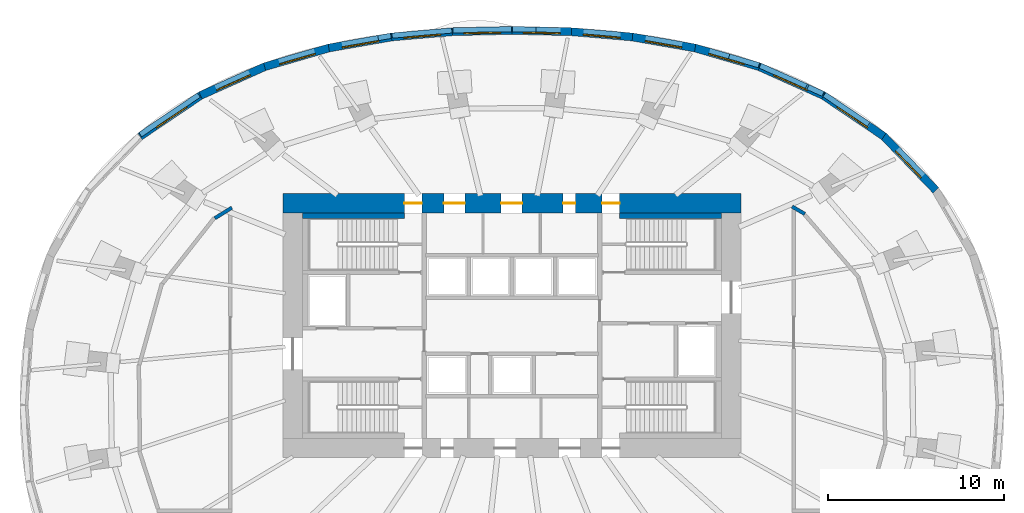
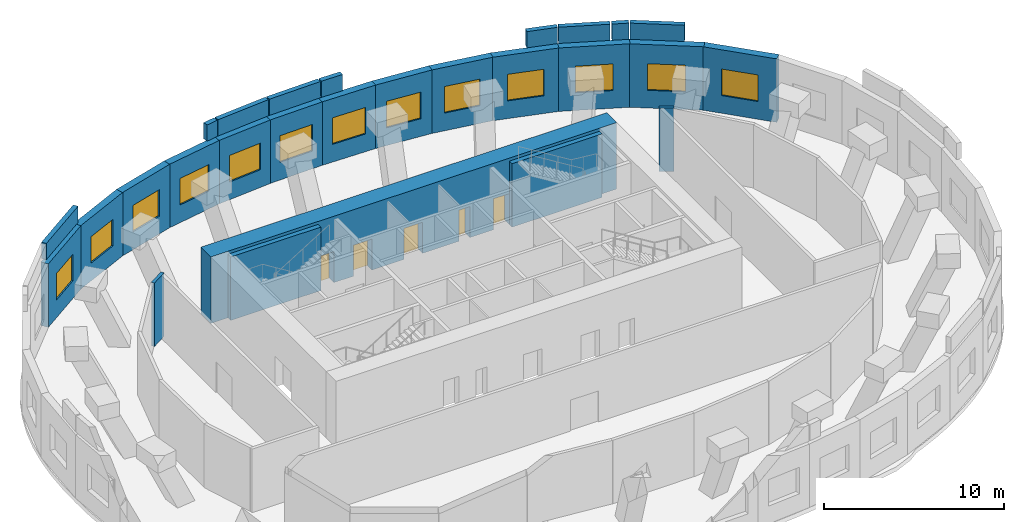
# One storey, part 7 of 9: 27 walls, 13 windows, 5 doors, 18 openings.
"""IFC4 building model written with IfcOpenShell, lengths in metres."""

from ifc_helpers import new_model, si_unit, direction, frame, frame_2d, origin, place, context, subcontext, project, spatial, rectangle, extrude, material, layer, layer_set, type_object, element, fill, save


model = new_model("IFC4")

# Units and contexts
model_context = context("Model", 3, precision=1e-05, world=origin(), true_north=direction((0.0, 1.0)))
body_context = subcontext(model_context, "Body", "Model", "MODEL_VIEW")
ifc_project = project(units=[si_unit("LENGTHUNIT", "METRE"), si_unit("AREAUNIT", "SQUARE_METRE"), si_unit("VOLUMEUNIT", "CUBIC_METRE"), si_unit("PLANEANGLEUNIT", "RADIAN"), si_unit("MASSUNIT", "GRAM", prefix="KILO")], contexts=[model_context])

# Site, building, storey
site_placement = place(None, origin())
site = spatial("IfcSite", under=ifc_project, at=site_placement, CompositionType="ELEMENT")
building_placement = place(site_placement, origin())
building = spatial("IfcBuilding", under=site, at=building_placement, Name="Rubra Terraces Tower", CompositionType="ELEMENT")
storey_placement = place(building_placement, frame((0.0, 0.0, 169.5)))
storey = spatial("IfcBuildingStorey", under=building, at=storey_placement, Name="L41", CompositionType="ELEMENT", Elevation=169.5)

# Wall, opening, window
ifc_material_1 = material(Name="Brick masonry red-brown", Category="masonry")
ifc_layer_1 = layer(ifc_material_1, 0.449951171875)
ifc_layer_set_1 = layer_set([ifc_layer_1], Name="Brick masonry red-brown")
wall_type_1 = type_object("IfcWallType", Name="Brick facade wall 450", PredefinedType="SOLIDWALL", material=ifc_layer_set_1)
wall_1_placement = place(storey_placement, frame((24.076904296875, 12.19384765625, 0.0), z_axis=(0.0, 0.0, 1.0), x_axis=(-0.69406513137, 0.719912212298, 0.0)))
wall_1 = element("IfcWall", 1, at=wall_1_placement, inside=storey, type_object=wall_type_1, Name="Facade wall L41 bay 4", PredefinedType="SOLIDWALL", context=body_context, shape_type="SweptSolid", body=[
    extrude(rectangle(XDim=4.2978515625, YDim=0.449951171875, at=frame_2d((2.14892578125, 0.0))), origin(), (0.0, 0.0, 1.0), 4.300048828125),
])
opening_1_placement = place(wall_1_placement, frame((1.098876953125, 0.0, 1.199951171875)))
opening_1 = element("IfcOpeningElement", 2, at=opening_1_placement, cuts=wall_1, Name="Opening W4", PredefinedType="OPENING", context=body_context, shape_type="SweptSolid", body=[
    extrude(rectangle(XDim=2.10009765625, YDim=1.800048828125, at=frame_2d((1.050048828125, 0.89990234375))), frame((0.0, 0.23486328125, 0.0), z_axis=(0.0, -1.0, 0.0), x_axis=(1.0, 0.0, 0.0)), (0.0, 0.0, 1.0), 0.469970703125),
])
ifc_material_2 = material(Name="Clear glass in aluminium frame", Category="aluminium")
window_type = type_object("IfcWindowType", Name="Louvred plant window 2100 x 1800", PartitioningType="SINGLE_PANEL", PredefinedType="WINDOW", material=ifc_material_2)
window_1_placement = place(opening_1_placement, origin())
window_1 = element("IfcWindow", 3, at=window_1_placement, inside=storey, type_object=window_type, Name="Window L41 bay 4", OverallHeight=1.800048828125, OverallWidth=2.10009765625, PartitioningType="SINGLE_PANEL", PredefinedType="WINDOW", context=body_context, shape_type="SweptSolid", body=[
    extrude(rectangle(XDim=2.10009765625, YDim=1.800048828125, at=frame_2d((1.050048828125, 0.89990234375))), frame((0.0, 0.135009765625, 0.0), z_axis=(0.0, -1.0, 0.0), x_axis=(1.0, 0.0, 0.0)), (0.0, 0.0, 1.0), 0.06005859375),
])
fill(opening_1, window_1)

wall_2_placement = place(storey_placement, frame((21.130126953125, 15.257568359375, 0.0), z_axis=(0.0, 0.0, 1.0), x_axis=(-0.829077786947, 0.559133278557, 0.0)))
wall_2 = element("IfcWall", 4, at=wall_2_placement, inside=storey, type_object=wall_type_1, Name="Facade wall L41 bay 5", PredefinedType="SOLIDWALL", context=body_context, shape_type="SweptSolid", body=[
    extrude(rectangle(XDim=4.1865234375, YDim=0.449951171875, at=frame_2d((2.09326171875, 0.0))), origin(), (0.0, 0.0, 1.0), 4.300048828125),
])
opening_2_placement = place(wall_2_placement, frame((1.043212890625, 0.0, 1.199951171875)))
opening_2 = element("IfcOpeningElement", 5, at=opening_2_placement, cuts=wall_2, Name="Opening W4", PredefinedType="OPENING", context=body_context, shape_type="SweptSolid", body=[
    extrude(rectangle(XDim=2.10009765625, YDim=1.800048828125, at=frame_2d((1.050048828125, 0.89990234375))), frame((0.0, 0.23486328125, 0.0), z_axis=(0.0, -1.0, 0.0), x_axis=(1.0, 0.0, 0.0)), (0.0, 0.0, 1.0), 0.469970703125),
])
window_2_placement = place(opening_2_placement, origin())
window_2 = element("IfcWindow", 6, at=window_2_placement, inside=storey, type_object=window_type, Name="Window L41 bay 5", OverallHeight=1.800048828125, OverallWidth=2.10009765625, PartitioningType="SINGLE_PANEL", PredefinedType="WINDOW", context=body_context, shape_type="SweptSolid", body=[
    extrude(rectangle(XDim=2.10009765625, YDim=1.800048828125, at=frame_2d((1.050048828125, 0.89990234375))), frame((0.0, 0.135009765625, 0.0), z_axis=(0.0, -1.0, 0.0), x_axis=(1.0, 0.0, 0.0)), (0.0, 0.0, 1.0), 0.06005859375),
])
fill(opening_2, window_2)

wall_3_placement = place(storey_placement, frame((17.693115234375, 17.57958984375, 0.0), z_axis=(0.0, 0.0, 1.0), x_axis=(-0.912580432801, 0.408897240966, 0.0)))
wall_3 = element("IfcWall", 7, at=wall_3_placement, inside=storey, type_object=wall_type_1, Name="Facade wall L41 bay 6", PredefinedType="SOLIDWALL", context=body_context, shape_type="SweptSolid", body=[
    extrude(rectangle(XDim=4.020751953125, YDim=0.449951171875, at=frame_2d((2.01025390625, 0.0))), origin(), (0.0, 0.0, 1.0), 4.300048828125),
])
opening_3_placement = place(wall_3_placement, frame((0.960205078125, 0.0, 1.199951171875)))
opening_3 = element("IfcOpeningElement", 8, at=opening_3_placement, cuts=wall_3, Name="Opening W4", PredefinedType="OPENING", context=body_context, shape_type="SweptSolid", body=[
    extrude(rectangle(XDim=2.10009765625, YDim=1.800048828125, at=frame_2d((1.050048828125, 0.89990234375))), frame((0.0, 0.23486328125, 0.0), z_axis=(0.0, -1.0, 0.0), x_axis=(1.0, 0.0, 0.0)), (0.0, 0.0, 1.0), 0.469970703125),
])
window_3_placement = place(opening_3_placement, origin())
window_3 = element("IfcWindow", 9, at=window_3_placement, inside=storey, type_object=window_type, Name="Window L41 bay 6", OverallHeight=1.800048828125, OverallWidth=2.10009765625, PartitioningType="SINGLE_PANEL", PredefinedType="WINDOW", context=body_context, shape_type="SweptSolid", body=[
    extrude(rectangle(XDim=2.10009765625, YDim=1.800048828125, at=frame_2d((1.050048828125, 0.89990234375))), frame((0.0, 0.135009765625, 0.0), z_axis=(0.0, -1.0, 0.0), x_axis=(1.0, 0.0, 0.0)), (0.0, 0.0, 1.0), 0.06005859375),
])
fill(opening_3, window_3)

wall_4_placement = place(storey_placement, frame((14.052978515625, 19.212890625, 0.0), z_axis=(0.0, 0.0, 1.0), x_axis=(-0.960131452472, 0.279548911594, 0.0)))
wall_4 = element("IfcWall", 10, at=wall_4_placement, inside=storey, type_object=wall_type_1, Name="Facade wall L41 bay 7", PredefinedType="SOLIDWALL", context=body_context, shape_type="SweptSolid", body=[
    extrude(rectangle(XDim=3.824462890625, YDim=0.449951171875, at=frame_2d((1.912109375, 0.0))), origin(), (0.0, 0.0, 1.0), 4.300048828125),
])
opening_4_placement = place(wall_4_placement, frame((0.8623046875, 0.0, 1.199951171875)))
opening_4 = element("IfcOpeningElement", 11, at=opening_4_placement, cuts=wall_4, Name="Opening W4", PredefinedType="OPENING", context=body_context, shape_type="SweptSolid", body=[
    extrude(rectangle(XDim=2.10009765625, YDim=1.800048828125, at=frame_2d((1.050048828125, 0.89990234375))), frame((0.0, 0.23486328125, 0.0), z_axis=(0.0, -1.0, 0.0), x_axis=(1.0, 0.0, 0.0)), (0.0, 0.0, 1.0), 0.469970703125),
])
window_4_placement = place(opening_4_placement, origin())
window_4 = element("IfcWindow", 12, at=window_4_placement, inside=storey, type_object=window_type, Name="Window L41 bay 7", OverallHeight=1.800048828125, OverallWidth=2.10009765625, PartitioningType="SINGLE_PANEL", PredefinedType="WINDOW", context=body_context, shape_type="SweptSolid", body=[
    extrude(rectangle(XDim=2.10009765625, YDim=1.800048828125, at=frame_2d((1.050048828125, 0.89990234375))), frame((0.0, 0.135009765625, 0.0), z_axis=(0.0, -1.0, 0.0), x_axis=(1.0, 0.0, 0.0)), (0.0, 0.0, 1.0), 0.06005859375),
])
fill(opening_4, window_4)

wall_5_placement = place(storey_placement, frame((10.405029296875, 20.2763671875, 0.0), z_axis=(0.0, 0.0, 1.0), x_axis=(-0.984962239205, 0.172769752386, 0.0)))
wall_5 = element("IfcWall", 13, at=wall_5_placement, inside=storey, type_object=wall_type_1, Name="Facade wall L41 bay 8", PredefinedType="SOLIDWALL", context=body_context, shape_type="SweptSolid", body=[
    extrude(rectangle(XDim=3.634521484375, YDim=0.449951171875, at=frame_2d((1.8173828125, 0.0))), origin(), (0.0, 0.0, 1.0), 4.300048828125),
])
opening_5_placement = place(wall_5_placement, frame((0.767333984375, 0.0, 1.199951171875)))
opening_5 = element("IfcOpeningElement", 14, at=opening_5_placement, cuts=wall_5, Name="Opening W4", PredefinedType="OPENING", context=body_context, shape_type="SweptSolid", body=[
    extrude(rectangle(XDim=2.10009765625, YDim=1.800048828125, at=frame_2d((1.050048828125, 0.89990234375))), frame((0.0, 0.23486328125, 0.0), z_axis=(0.0, -1.0, 0.0), x_axis=(1.0, 0.0, 0.0)), (0.0, 0.0, 1.0), 0.469970703125),
])
window_5_placement = place(opening_5_placement, origin())
window_5 = element("IfcWindow", 15, at=window_5_placement, inside=storey, type_object=window_type, Name="Window L41 bay 8", OverallHeight=1.800048828125, OverallWidth=2.10009765625, PartitioningType="SINGLE_PANEL", PredefinedType="WINDOW", context=body_context, shape_type="SweptSolid", body=[
    extrude(rectangle(XDim=2.10009765625, YDim=1.800048828125, at=frame_2d((1.050048828125, 0.89990234375))), frame((0.0, 0.135009765625, 0.0), z_axis=(0.0, -1.0, 0.0), x_axis=(1.0, 0.0, 0.0)), (0.0, 0.0, 1.0), 0.06005859375),
])
fill(opening_5, window_5)

wall_6_placement = place(storey_placement, frame((6.844482421875, 20.90185546875, 0.0), z_axis=(0.0, 0.0, 1.0), x_axis=(-0.99625818993, 0.086426957587, 0.0)))
wall_6 = element("IfcWall", 16, at=wall_6_placement, inside=storey, type_object=wall_type_1, Name="Facade wall L41 bay 9", PredefinedType="SOLIDWALL", context=body_context, shape_type="SweptSolid", body=[
    extrude(rectangle(XDim=3.48291015625, YDim=0.449951171875, at=frame_2d((1.741455078125, 0.0))), origin(), (0.0, 0.0, 1.0), 4.300048828125),
])
opening_6_placement = place(wall_6_placement, frame((0.69140625, 0.0, 1.199951171875)))
opening_6 = element("IfcOpeningElement", 17, at=opening_6_placement, cuts=wall_6, Name="Opening W4", PredefinedType="OPENING", context=body_context, shape_type="SweptSolid", body=[
    extrude(rectangle(XDim=2.10009765625, YDim=1.800048828125, at=frame_2d((1.050048828125, 0.89990234375))), frame((0.0, 0.23486328125, 0.0), z_axis=(0.0, -1.0, 0.0), x_axis=(1.0, 0.0, 0.0)), (0.0, 0.0, 1.0), 0.469970703125),
])
window_6_placement = place(opening_6_placement, origin())
window_6 = element("IfcWindow", 18, at=window_6_placement, inside=storey, type_object=window_type, Name="Window L41 bay 9", OverallHeight=1.800048828125, OverallWidth=2.10009765625, PartitioningType="SINGLE_PANEL", PredefinedType="WINDOW", context=body_context, shape_type="SweptSolid", body=[
    extrude(rectangle(XDim=2.10009765625, YDim=1.800048828125, at=frame_2d((1.050048828125, 0.89990234375))), frame((0.0, 0.135009765625, 0.0), z_axis=(0.0, -1.0, 0.0), x_axis=(1.0, 0.0, 0.0)), (0.0, 0.0, 1.0), 0.06005859375),
])
fill(opening_6, window_6)

wall_7_placement = place(storey_placement, frame((3.38916015625, 21.201904296875, 0.0), z_axis=(0.0, 0.0, 1.0), x_axis=(-0.999768789703, 0.021502723933, 0.0)))
wall_7 = element("IfcWall", 19, at=wall_7_placement, inside=storey, type_object=wall_type_1, Name="Facade wall L41 bay 10", PredefinedType="SOLIDWALL", context=body_context, shape_type="SweptSolid", body=[
    extrude(rectangle(XDim=3.394775390625, YDim=0.449951171875, at=frame_2d((1.697265625, 0.0))), origin(), (0.0, 0.0, 1.0), 4.300048828125),
])
opening_7_placement = place(wall_7_placement, frame((0.6474609375, 0.0, 1.199951171875)))
opening_7 = element("IfcOpeningElement", 20, at=opening_7_placement, cuts=wall_7, Name="Opening W4", PredefinedType="OPENING", context=body_context, shape_type="SweptSolid", body=[
    extrude(rectangle(XDim=2.10009765625, YDim=1.800048828125, at=frame_2d((1.050048828125, 0.89990234375))), frame((0.0, 0.23486328125, 0.0), z_axis=(0.0, -1.0, 0.0), x_axis=(1.0, 0.0, 0.0)), (0.0, 0.0, 1.0), 0.469970703125),
])
window_7_placement = place(opening_7_placement, origin())
window_7 = element("IfcWindow", 21, at=window_7_placement, inside=storey, type_object=window_type, Name="Window L41 bay 10", OverallHeight=1.800048828125, OverallWidth=2.10009765625, PartitioningType="SINGLE_PANEL", PredefinedType="WINDOW", context=body_context, shape_type="SweptSolid", body=[
    extrude(rectangle(XDim=2.10009765625, YDim=1.800048828125, at=frame_2d((1.050048828125, 0.89990234375))), frame((0.0, 0.135009765625, 0.0), z_axis=(0.0, -1.0, 0.0), x_axis=(1.0, 0.0, 0.0)), (0.0, 0.0, 1.0), 0.06005859375),
])
fill(opening_7, window_7)

wall_8_placement = place(storey_placement, frame((0.0048828125, 21.27490234375, 0.0), z_axis=(0.0, 0.0, 1.0), x_axis=(-0.999768789703, -0.021502723933, 0.0)))
wall_8 = element("IfcWall", 22, at=wall_8_placement, inside=storey, type_object=wall_type_1, Name="Facade wall L41 bay 11", PredefinedType="SOLIDWALL", context=body_context, shape_type="SweptSolid", body=[
    extrude(rectangle(XDim=3.394775390625, YDim=0.449951171875, at=frame_2d((1.697265625, 0.0))), origin(), (0.0, 0.0, 1.0), 4.300048828125),
])
opening_8_placement = place(wall_8_placement, frame((0.6474609375, 0.0, 1.199951171875)))
opening_8 = element("IfcOpeningElement", 23, at=opening_8_placement, cuts=wall_8, Name="Opening W4", PredefinedType="OPENING", context=body_context, shape_type="SweptSolid", body=[
    extrude(rectangle(XDim=2.10009765625, YDim=1.800048828125, at=frame_2d((1.050048828125, 0.89990234375))), frame((0.0, 0.23486328125, 0.0), z_axis=(0.0, -1.0, 0.0), x_axis=(1.0, 0.0, 0.0)), (0.0, 0.0, 1.0), 0.469970703125),
])
window_8_placement = place(opening_8_placement, origin())
window_8 = element("IfcWindow", 24, at=window_8_placement, inside=storey, type_object=window_type, Name="Window L41 bay 11", OverallHeight=1.800048828125, OverallWidth=2.10009765625, PartitioningType="SINGLE_PANEL", PredefinedType="WINDOW", context=body_context, shape_type="SweptSolid", body=[
    extrude(rectangle(XDim=2.10009765625, YDim=1.800048828125, at=frame_2d((1.050048828125, 0.89990234375))), frame((0.0, 0.135009765625, 0.0), z_axis=(0.0, -1.0, 0.0), x_axis=(1.0, 0.0, 0.0)), (0.0, 0.0, 1.0), 0.06005859375),
])
fill(opening_8, window_8)

wall_9_placement = place(storey_placement, frame((-3.37451171875, 21.202880859375, 0.0), z_axis=(0.0, 0.0, 1.0), x_axis=(-0.99625818993, -0.086426957587, 0.0)))
wall_9 = element("IfcWall", 25, at=wall_9_placement, inside=storey, type_object=wall_type_1, Name="Facade wall L41 bay 12", PredefinedType="SOLIDWALL", context=body_context, shape_type="SweptSolid", body=[
    extrude(rectangle(XDim=3.48291015625, YDim=0.449951171875, at=frame_2d((1.741455078125, 0.0))), origin(), (0.0, 0.0, 1.0), 4.300048828125),
])
opening_9_placement = place(wall_9_placement, frame((0.69140625, 0.0, 1.199951171875)))
opening_9 = element("IfcOpeningElement", 26, at=opening_9_placement, cuts=wall_9, Name="Opening W4", PredefinedType="OPENING", context=body_context, shape_type="SweptSolid", body=[
    extrude(rectangle(XDim=2.10009765625, YDim=1.800048828125, at=frame_2d((1.050048828125, 0.89990234375))), frame((0.0, 0.23486328125, 0.0), z_axis=(0.0, -1.0, 0.0), x_axis=(1.0, 0.0, 0.0)), (0.0, 0.0, 1.0), 0.469970703125),
])
window_9_placement = place(opening_9_placement, origin())
window_9 = element("IfcWindow", 27, at=window_9_placement, inside=storey, type_object=window_type, Name="Window L41 bay 12", OverallHeight=1.800048828125, OverallWidth=2.10009765625, PartitioningType="SINGLE_PANEL", PredefinedType="WINDOW", context=body_context, shape_type="SweptSolid", body=[
    extrude(rectangle(XDim=2.10009765625, YDim=1.800048828125, at=frame_2d((1.050048828125, 0.89990234375))), frame((0.0, 0.135009765625, 0.0), z_axis=(0.0, -1.0, 0.0), x_axis=(1.0, 0.0, 0.0)), (0.0, 0.0, 1.0), 0.06005859375),
])
fill(opening_9, window_9)

wall_10_placement = place(storey_placement, frame((-6.8251953125, 20.904296875, 0.0), z_axis=(0.0, 0.0, 1.0), x_axis=(-0.984962239205, -0.172769752386, 0.0)))
wall_10 = element("IfcWall", 28, at=wall_10_placement, inside=storey, type_object=wall_type_1, Name="Facade wall L41 bay 13", PredefinedType="SOLIDWALL", context=body_context, shape_type="SweptSolid", body=[
    extrude(rectangle(XDim=3.634521484375, YDim=0.449951171875, at=frame_2d((1.8173828125, 0.0))), origin(), (0.0, 0.0, 1.0), 4.300048828125),
])
opening_10_placement = place(wall_10_placement, frame((0.767333984375, 0.0, 1.199951171875)))
opening_10 = element("IfcOpeningElement", 29, at=opening_10_placement, cuts=wall_10, Name="Opening W4", PredefinedType="OPENING", context=body_context, shape_type="SweptSolid", body=[
    extrude(rectangle(XDim=2.10009765625, YDim=1.800048828125, at=frame_2d((1.050048828125, 0.89990234375))), frame((0.0, 0.23486328125, 0.0), z_axis=(0.0, -1.0, 0.0), x_axis=(1.0, 0.0, 0.0)), (0.0, 0.0, 1.0), 0.469970703125),
])
window_10_placement = place(opening_10_placement, origin())
window_10 = element("IfcWindow", 30, at=window_10_placement, inside=storey, type_object=window_type, Name="Window L41 bay 13", OverallHeight=1.800048828125, OverallWidth=2.10009765625, PartitioningType="SINGLE_PANEL", PredefinedType="WINDOW", context=body_context, shape_type="SweptSolid", body=[
    extrude(rectangle(XDim=2.10009765625, YDim=1.800048828125, at=frame_2d((1.050048828125, 0.89990234375))), frame((0.0, 0.135009765625, 0.0), z_axis=(0.0, -1.0, 0.0), x_axis=(1.0, 0.0, 0.0)), (0.0, 0.0, 1.0), 0.06005859375),
])
fill(opening_10, window_10)

wall_11_placement = place(storey_placement, frame((-10.381103515625, 20.281982421875, 0.0), z_axis=(0.0, 0.0, 1.0), x_axis=(-0.960131452472, -0.279548911594, 0.0)))
wall_11 = element("IfcWall", 31, at=wall_11_placement, inside=storey, type_object=wall_type_1, Name="Facade wall L41 bay 14", PredefinedType="SOLIDWALL", context=body_context, shape_type="SweptSolid", body=[
    extrude(rectangle(XDim=3.824462890625, YDim=0.449951171875, at=frame_2d((1.912109375, 0.0))), origin(), (0.0, 0.0, 1.0), 4.300048828125),
])
opening_11_placement = place(wall_11_placement, frame((0.8623046875, 0.0, 1.199951171875)))
opening_11 = element("IfcOpeningElement", 32, at=opening_11_placement, cuts=wall_11, Name="Opening W4", PredefinedType="OPENING", context=body_context, shape_type="SweptSolid", body=[
    extrude(rectangle(XDim=2.10009765625, YDim=1.800048828125, at=frame_2d((1.050048828125, 0.89990234375))), frame((0.0, 0.23486328125, 0.0), z_axis=(0.0, -1.0, 0.0), x_axis=(1.0, 0.0, 0.0)), (0.0, 0.0, 1.0), 0.469970703125),
])
window_11_placement = place(opening_11_placement, origin())
window_11 = element("IfcWindow", 33, at=window_11_placement, inside=storey, type_object=window_type, Name="Window L41 bay 14", OverallHeight=1.800048828125, OverallWidth=2.10009765625, PartitioningType="SINGLE_PANEL", PredefinedType="WINDOW", context=body_context, shape_type="SweptSolid", body=[
    extrude(rectangle(XDim=2.10009765625, YDim=1.800048828125, at=frame_2d((1.050048828125, 0.89990234375))), frame((0.0, 0.135009765625, 0.0), z_axis=(0.0, -1.0, 0.0), x_axis=(1.0, 0.0, 0.0)), (0.0, 0.0, 1.0), 0.06005859375),
])
fill(opening_11, window_11)

wall_12_placement = place(storey_placement, frame((-14.02392578125, 19.2236328125, 0.0), z_axis=(0.0, 0.0, 1.0), x_axis=(-0.912580432801, -0.408897240966, 0.0)))
wall_12 = element("IfcWall", 34, at=wall_12_placement, inside=storey, type_object=wall_type_1, Name="Facade wall L41 bay 15", PredefinedType="SOLIDWALL", context=body_context, shape_type="SweptSolid", body=[
    extrude(rectangle(XDim=4.020751953125, YDim=0.449951171875, at=frame_2d((2.01025390625, 0.0))), origin(), (0.0, 0.0, 1.0), 4.300048828125),
])
opening_12_placement = place(wall_12_placement, frame((0.960205078125, 0.0, 1.199951171875)))
opening_12 = element("IfcOpeningElement", 35, at=opening_12_placement, cuts=wall_12, Name="Opening W4", PredefinedType="OPENING", context=body_context, shape_type="SweptSolid", body=[
    extrude(rectangle(XDim=2.10009765625, YDim=1.800048828125, at=frame_2d((1.050048828125, 0.89990234375))), frame((0.0, 0.23486328125, 0.0), z_axis=(0.0, -1.0, 0.0), x_axis=(1.0, 0.0, 0.0)), (0.0, 0.0, 1.0), 0.469970703125),
])
window_12_placement = place(opening_12_placement, origin())
window_12 = element("IfcWindow", 36, at=window_12_placement, inside=storey, type_object=window_type, Name="Window L41 bay 15", OverallHeight=1.800048828125, OverallWidth=2.10009765625, PartitioningType="SINGLE_PANEL", PredefinedType="WINDOW", context=body_context, shape_type="SweptSolid", body=[
    extrude(rectangle(XDim=2.10009765625, YDim=1.800048828125, at=frame_2d((1.050048828125, 0.89990234375))), frame((0.0, 0.135009765625, 0.0), z_axis=(0.0, -1.0, 0.0), x_axis=(1.0, 0.0, 0.0)), (0.0, 0.0, 1.0), 0.06005859375),
])
fill(opening_12, window_12)

wall_13_placement = place(storey_placement, frame((-17.6591796875, 17.598388671875, 0.0), z_axis=(0.0, 0.0, 1.0), x_axis=(-0.829077786947, -0.559133278557, 0.0)))
wall_13 = element("IfcWall", 37, at=wall_13_placement, inside=storey, type_object=wall_type_1, Name="Facade wall L41 bay 16", PredefinedType="SOLIDWALL", context=body_context, shape_type="SweptSolid", body=[
    extrude(rectangle(XDim=4.1865234375, YDim=0.449951171875, at=frame_2d((2.09326171875, 0.0))), origin(), (0.0, 0.0, 1.0), 4.300048828125),
])
opening_13_placement = place(wall_13_placement, frame((1.043212890625, 0.0, 1.199951171875)))
opening_13 = element("IfcOpeningElement", 38, at=opening_13_placement, cuts=wall_13, Name="Opening W4", PredefinedType="OPENING", context=body_context, shape_type="SweptSolid", body=[
    extrude(rectangle(XDim=2.10009765625, YDim=1.800048828125, at=frame_2d((1.050048828125, 0.89990234375))), frame((0.0, 0.23486328125, 0.0), z_axis=(0.0, -1.0, 0.0), x_axis=(1.0, 0.0, 0.0)), (0.0, 0.0, 1.0), 0.469970703125),
])
window_13_placement = place(opening_13_placement, origin())
window_13 = element("IfcWindow", 39, at=window_13_placement, inside=storey, type_object=window_type, Name="Window L41 bay 16", OverallHeight=1.800048828125, OverallWidth=2.10009765625, PartitioningType="SINGLE_PANEL", PredefinedType="WINDOW", context=body_context, shape_type="SweptSolid", body=[
    extrude(rectangle(XDim=2.10009765625, YDim=1.800048828125, at=frame_2d((1.050048828125, 0.89990234375))), frame((0.0, 0.135009765625, 0.0), z_axis=(0.0, -1.0, 0.0), x_axis=(1.0, 0.0, 0.0)), (0.0, 0.0, 1.0), 0.06005859375),
])
fill(opening_13, window_13)

# Walls
ifc_layer_2 = layer(ifc_material_1, 0.300048828125)
ifc_layer_set_2 = layer_set([ifc_layer_2], Name="Brick masonry red-brown")
wall_type_2 = type_object("IfcWallType", Name="Brick parapet 300", PredefinedType="PARAPET", material=ifc_layer_set_2)
wall_14_placement = place(storey_placement, frame((20.26416015625, 15.931884765625, 4.5), z_axis=(0.0, 0.0, 1.0), x_axis=(-0.82905652271, 0.559164807683, 0.0)))
element("IfcWall", 40, at=wall_14_placement, inside=storey, type_object=wall_type_2, Name="Parapet L41 bay 5", PredefinedType="PARAPET", context=body_context, shape_type="SweptSolid", body=[
    extrude(rectangle(XDim=3.035888671875, YDim=0.300048828125, at=frame_2d((1.51806640625, 0.0))), origin(), (0.0, 0.0, 1.0), 1.10009765625),
])
wall_15_placement = place(storey_placement, frame((17.672607421875, 17.6708984375, 4.5), z_axis=(0.0, 0.0, 1.0), x_axis=(-0.912525983877, 0.409018738873, 0.0)))
element("IfcWall", 41, at=wall_15_placement, inside=storey, type_object=wall_type_2, Name="Parapet L41 bay 6", PredefinedType="PARAPET", context=body_context, shape_type="SweptSolid", body=[
    extrude(rectangle(XDim=0.943115234375, YDim=0.300048828125, at=frame_2d((0.4716796875, 0.0))), origin(), (0.0, 0.0, 1.0), 1.10009765625),
])
wall_16_placement = place(storey_placement, frame((16.720458984375, 18.09765625, 4.5), z_axis=(0.0, 0.0, 1.0), x_axis=(-0.912572805342, 0.408914263568, 0.0)))
element("IfcWall", 42, at=wall_16_placement, inside=storey, type_object=wall_type_2, Name="Parapet L41 bay 6.2", PredefinedType="PARAPET", context=body_context, shape_type="SweptSolid", body=[
    extrude(rectangle(XDim=2.87060546875, YDim=0.300048828125, at=frame_2d((1.435302734375, 0.0))), origin(), (0.0, 0.0, 1.0), 1.10009765625),
])
wall_17_placement = place(storey_placement, frame((14.025390625, 19.29931640625, 4.5), z_axis=(0.0, 0.0, 1.0), x_axis=(-0.960153413703, 0.279473473078, 0.0)))
element("IfcWall", 43, at=wall_17_placement, inside=storey, type_object=wall_type_2, Name="Parapet L41 bay 7", PredefinedType="PARAPET", context=body_context, shape_type="SweptSolid", body=[
    extrude(rectangle(XDim=1.762939453125, YDim=0.300048828125, at=frame_2d((0.88134765625, 0.0))), origin(), (0.0, 0.0, 1.0), 1.10009765625),
])
wall_18_placement = place(storey_placement, frame((1.37451171875, 21.3203125, 4.5), z_axis=(0.0, 0.0, 1.0), x_axis=(-0.999769428044, 0.021473023755, 0.0)))
element("IfcWall", 44, at=wall_18_placement, inside=storey, type_object=wall_type_2, Name="Parapet L41 bay 10", PredefinedType="PARAPET", context=body_context, shape_type="SweptSolid", body=[
    extrude(rectangle(XDim=1.341552734375, YDim=0.300048828125, at=frame_2d((0.6708984375, 0.0))), origin(), (0.0, 0.0, 1.0), 1.10009765625),
])
wall_19_placement = place(storey_placement, frame((-0.033203125, 21.34912109375, 4.5), z_axis=(0.0, 0.0, 1.0), x_axis=(-0.99976924748, -0.021481429011, 0.0)))
element("IfcWall", 45, at=wall_19_placement, inside=storey, type_object=wall_type_2, Name="Parapet L41 bay 11", PredefinedType="PARAPET", context=body_context, shape_type="SweptSolid", body=[
    extrude(rectangle(XDim=3.318603515625, YDim=0.300048828125, at=frame_2d((1.6591796875, 0.0))), origin(), (0.0, 0.0, 1.0), 1.10009765625),
])
wall_20_placement = place(storey_placement, frame((-3.420654296875, 21.274169921875, 4.5), z_axis=(0.0, 0.0, 1.0), x_axis=(-0.996256198743, -0.086449907264, 0.0)))
element("IfcWall", 46, at=wall_20_placement, inside=storey, type_object=wall_type_2, Name="Parapet L41 bay 12", PredefinedType="PARAPET", context=body_context, shape_type="SweptSolid", body=[
    extrude(rectangle(XDim=3.400146484375, YDim=0.300048828125, at=frame_2d((1.7001953125, 0.0))), origin(), (0.0, 0.0, 1.0), 1.10009765625),
])
wall_21_placement = place(storey_placement, frame((-6.880615234375, 20.970703125, 4.5), z_axis=(0.0, 0.0, 1.0), x_axis=(-0.984983831582, -0.172646608778, 0.0)))
element("IfcWall", 47, at=wall_21_placement, inside=storey, type_object=wall_type_2, Name="Parapet L41 bay 13", PredefinedType="PARAPET", context=body_context, shape_type="SweptSolid", body=[
    extrude(rectangle(XDim=0.73388671875, YDim=0.300048828125, at=frame_2d((0.366943359375, 0.0))), origin(), (0.0, 0.0, 1.0), 1.10009765625),
])
wall_22_placement = place(storey_placement, frame((-17.790771484375, 17.60009765625, 4.5), z_axis=(0.0, 0.0, 1.0), x_axis=(-0.829064921322, -0.559152355118, 0.0)))
element("IfcWall", 48, at=wall_22_placement, inside=storey, type_object=wall_type_2, Name="Parapet L41 bay 16", PredefinedType="PARAPET", context=body_context, shape_type="SweptSolid", body=[
    extrude(rectangle(XDim=4.016845703125, YDim=0.300048828125, at=frame_2d((2.00830078125, 0.0))), origin(), (0.0, 0.0, 1.0), 1.10009765625),
])

# Wall, openings, doors
ifc_material_3 = material(Name="Concrete C60", Category="concrete")
ifc_layer_3 = layer(ifc_material_3, 1.10009765625)
ifc_layer_set_3 = layer_set([ifc_layer_3], Name="Concrete C60")
wall_type_3 = type_object("IfcWallType", Name="CORE WALL 1100 C60", PredefinedType="SHEAR", material=ifc_layer_set_3)
wall_23_placement = place(storey_placement, frame((-13.0, 11.449951171875, 0.0), z_axis=(0.0, 0.0, 1.0), x_axis=(1.0, 0.0, 0.0)))
wall_23 = element("IfcWall", 49, at=wall_23_placement, inside=storey, type_object=wall_type_3, Name="CORE WALL N L41", PredefinedType="SHEAR", context=body_context, shape_type="SweptSolid", body=[
    extrude(rectangle(XDim=26.0, YDim=1.10009765625, at=frame_2d((13.0, 0.0))), origin(), (0.0, 0.0, 1.0), 4.5),
])
opening_14_placement = place(wall_23_placement, frame((9.125, 0.0, 0.0)))
opening_14 = element("IfcOpeningElement", 50, at=opening_14_placement, cuts=wall_23, Name="Opening L41.C18", PredefinedType="OPENING", context=body_context, shape_type="SweptSolid", body=[
    extrude(rectangle(XDim=1.199951171875, YDim=2.10009765625, at=frame_2d((0.60009765625, 1.050048828125))), frame((0.0, 0.56005859375, 0.0), z_axis=(0.0, -1.0, 0.0), x_axis=(1.0, 0.0, 0.0)), (0.0, 0.0, 1.0), 1.1201171875),
])
opening_15_placement = place(wall_23_placement, frame((12.375, 0.0, 0.0)))
opening_15 = element("IfcOpeningElement", 51, at=opening_15_placement, cuts=wall_23, Name="Opening L41.C19", PredefinedType="OPENING", context=body_context, shape_type="SweptSolid", body=[
    extrude(rectangle(XDim=1.199951171875, YDim=2.10009765625, at=frame_2d((0.60009765625, 1.050048828125))), frame((0.0, 0.56005859375, 0.0), z_axis=(0.0, -1.0, 0.0), x_axis=(1.0, 0.0, 0.0)), (0.0, 0.0, 1.0), 1.1201171875),
])
opening_16_placement = place(wall_23_placement, frame((15.89990234375, 0.0, 0.0)))
opening_16 = element("IfcOpeningElement", 52, at=opening_16_placement, cuts=wall_23, Name="Opening L41.C20", PredefinedType="OPENING", context=body_context, shape_type="SweptSolid", body=[
    extrude(rectangle(XDim=0.699951171875, YDim=2.10009765625, at=frame_2d((0.35009765625, 1.050048828125))), frame((0.0, 0.56005859375, 0.0), z_axis=(0.0, -1.0, 0.0), x_axis=(1.0, 0.0, 0.0)), (0.0, 0.0, 1.0), 1.1201171875),
])
opening_17_placement = place(wall_23_placement, frame((6.8798828125, 0.0, 0.0)))
opening_17 = element("IfcOpeningElement", 53, at=opening_17_placement, cuts=wall_23, Name="Opening L41.C22", PredefinedType="OPENING", context=body_context, shape_type="SweptSolid", body=[
    extrude(rectangle(XDim=1.0, YDim=2.10009765625, at=frame_2d((0.5, 1.050048828125))), frame((0.0, 0.56005859375, 0.0), z_axis=(0.0, -1.0, 0.0), x_axis=(1.0, 0.0, 0.0)), (0.0, 0.0, 1.0), 1.1201171875),
])
opening_18_placement = place(wall_23_placement, frame((18.1201171875, 0.0, 0.0)))
opening_18 = element("IfcOpeningElement", 54, at=opening_18_placement, cuts=wall_23, Name="Opening L41.C23", PredefinedType="OPENING", context=body_context, shape_type="SweptSolid", body=[
    extrude(rectangle(XDim=1.0, YDim=2.10009765625, at=frame_2d((0.5, 1.050048828125))), frame((0.0, 0.56005859375, 0.0), z_axis=(0.0, -1.0, 0.0), x_axis=(1.0, 0.0, 0.0)), (0.0, 0.0, 1.0), 1.1201171875),
])
ifc_material_4 = material(Name="Painted steel", Category="steel")
door_type_1 = type_object("IfcDoorType", Name="Fire door 1000x2100 single", OperationType="NOTDEFINED", PredefinedType="DOOR", material=ifc_material_4)
door_1_placement = place(opening_17_placement, origin())
door_1 = element("IfcDoor", 55, at=door_1_placement, inside=storey, type_object=door_type_1, Name="Stair S2 refuge door", OperationType="SINGLE_SWING_RIGHT", OverallHeight=2.10009765625, OverallWidth=1.0, PredefinedType="DOOR", context=body_context, shape_type="SweptSolid", body=[
    extrude(rectangle(XDim=1.0, YDim=2.10009765625, at=frame_2d((0.5, 1.050048828125))), frame((0.0, 0.02490234375, 0.0), z_axis=(0.0, -1.0, 0.0), x_axis=(1.0, 0.0, 0.0)), (0.0, 0.0, 1.0), 0.050048828125),
])
fill(opening_17, door_1)
door_2_placement = place(opening_18_placement, origin())
door_2 = element("IfcDoor", 56, at=door_2_placement, inside=storey, type_object=door_type_1, Name="Stair S3 refuge door", OperationType="SINGLE_SWING_LEFT", OverallHeight=2.10009765625, OverallWidth=1.0, PredefinedType="DOOR", context=body_context, shape_type="SweptSolid", body=[
    extrude(rectangle(XDim=1.0, YDim=2.10009765625, at=frame_2d((0.5, 1.050048828125))), frame((0.0, 0.02490234375, 0.0), z_axis=(0.0, -1.0, 0.0), x_axis=(1.0, 0.0, 0.0)), (0.0, 0.0, 1.0), 0.050048828125),
])
fill(opening_18, door_2)
door_type_2 = type_object("IfcDoorType", Name="Fire door 1200x2100 single", OperationType="NOTDEFINED", PredefinedType="DOOR", material=ifc_material_4)
door_3_placement = place(opening_14_placement, origin())
door_3 = element("IfcDoor", 57, at=door_3_placement, inside=storey, type_object=door_type_2, Name="Air handling plant room door", OperationType="SINGLE_SWING_RIGHT", OverallHeight=2.10009765625, OverallWidth=1.199951171875, PredefinedType="DOOR", context=body_context, shape_type="SweptSolid", body=[
    extrude(rectangle(XDim=1.199951171875, YDim=2.10009765625, at=frame_2d((0.60009765625, 1.050048828125))), frame((0.0, 0.02490234375, 0.0), z_axis=(0.0, -1.0, 0.0), x_axis=(1.0, 0.0, 0.0)), (0.0, 0.0, 1.0), 0.050048828125),
])
fill(opening_14, door_3)
door_4_placement = place(opening_15_placement, origin())
door_4 = element("IfcDoor", 58, at=door_4_placement, inside=storey, type_object=door_type_2, Name="Air handling plant room door", OperationType="SINGLE_SWING_LEFT", OverallHeight=2.10009765625, OverallWidth=1.199951171875, PredefinedType="DOOR", context=body_context, shape_type="SweptSolid", body=[
    extrude(rectangle(XDim=1.199951171875, YDim=2.10009765625, at=frame_2d((0.60009765625, 1.050048828125))), frame((0.0, 0.02490234375, 0.0), z_axis=(0.0, -1.0, 0.0), x_axis=(1.0, 0.0, 0.0)), (0.0, 0.0, 1.0), 0.050048828125),
])
fill(opening_15, door_4)
door_type_3 = type_object("IfcDoorType", Name="Riser access door 700x2100 single", OperationType="NOTDEFINED", PredefinedType="DOOR", material=ifc_material_4)
door_5_placement = place(opening_16_placement, origin())
door_5 = element("IfcDoor", 59, at=door_5_placement, inside=storey, type_object=door_type_3, Name="M&E riser room door", OperationType="SINGLE_SWING_RIGHT", OverallHeight=2.10009765625, OverallWidth=0.699951171875, PredefinedType="DOOR", context=body_context, shape_type="SweptSolid", body=[
    extrude(rectangle(XDim=0.699951171875, YDim=2.10009765625, at=frame_2d((0.35009765625, 1.050048828125))), frame((0.0, 0.02490234375, 0.0), z_axis=(0.0, -1.0, 0.0), x_axis=(1.0, 0.0, 0.0)), (0.0, 0.0, 1.0), 0.050048828125),
])
fill(opening_16, door_5)

# Walls
ifc_material_5 = material(Name="Concrete C40", Category="concrete")
ifc_layer_4 = layer(ifc_material_5, 0.300048828125)
ifc_layer_set_4 = layer_set([ifc_layer_4], Name="Concrete C40")
wall_type_4 = type_object("IfcWallType", Name="Core lining wall 300 concrete", PredefinedType="SOLIDWALL", material=ifc_layer_set_4)
for number, where, z_axis, x_axis, name in (
    (60, (-11.89990234375, 10.75, 0.0), (0.0, 0.0, 1.0), (1.0, 0.0, 0.0), "CORE LINING WALL L41"),
    (61, (11.89990234375, 10.75, 0.0), (0.0, 0.0, 1.0), (-1.0, 0.0, 0.0), "CORE LINING WALL L41"),
):
    element("IfcWall", number, at=place(storey_placement, frame(where, z_axis=z_axis, x_axis=x_axis)), inside=storey, type_object=wall_type_4, Name=name, PredefinedType="SOLIDWALL", context=body_context, shape_type="SweptSolid", body=[
        extrude(rectangle(XDim=5.77978515625, YDim=0.300048828125, at=frame_2d((2.889892578125, 0.0))), origin(), (0.0, 0.0, 1.0), 4.300048828125),
    ])
ifc_material_6 = material(Name="Blockwork", Category="masonry")
ifc_layer_5 = layer(ifc_material_6, 0.199951171875)
ifc_layer_set_5 = layer_set([ifc_layer_5], Name="Blockwork")
wall_type_5 = type_object("IfcWallType", Name="Corridor partition 200 blockwork", PredefinedType="PARTITIONING", material=ifc_layer_set_5)
wall_24_placement = place(storey_placement, frame((-16.883056640625, 10.60498046875, 0.0), z_axis=(0.0, 0.0, 1.0), x_axis=(0.84954745962, 0.527512193085, 0.0)))
element("IfcWall", 62, at=wall_24_placement, inside=storey, type_object=wall_type_5, Name="Partition wall", PredefinedType="PARTITIONING", context=body_context, shape_type="SweptSolid", body=[
    extrude(rectangle(XDim=1.139404296875, YDim=0.199951171875, at=frame_2d((0.56982421875, 0.0))), origin(), (0.0, 0.0, 1.0), 4.300048828125),
])
wall_25_placement = place(storey_placement, frame((15.9130859375, 11.26708984375, 0.0), z_axis=(0.0, 0.0, 1.0), x_axis=(0.866219676164, -0.4996633593, 0.0)))
element("IfcWall", 63, at=wall_25_placement, inside=storey, type_object=wall_type_5, Name="Partition wall", PredefinedType="PARTITIONING", context=body_context, shape_type="SweptSolid", body=[
    extrude(rectangle(XDim=0.83447265625, YDim=0.199951171875, at=frame_2d((0.417236328125, 0.0))), origin(), (0.0, 0.0, 1.0), 4.300048828125),
])

save(model, "model.ifc")
